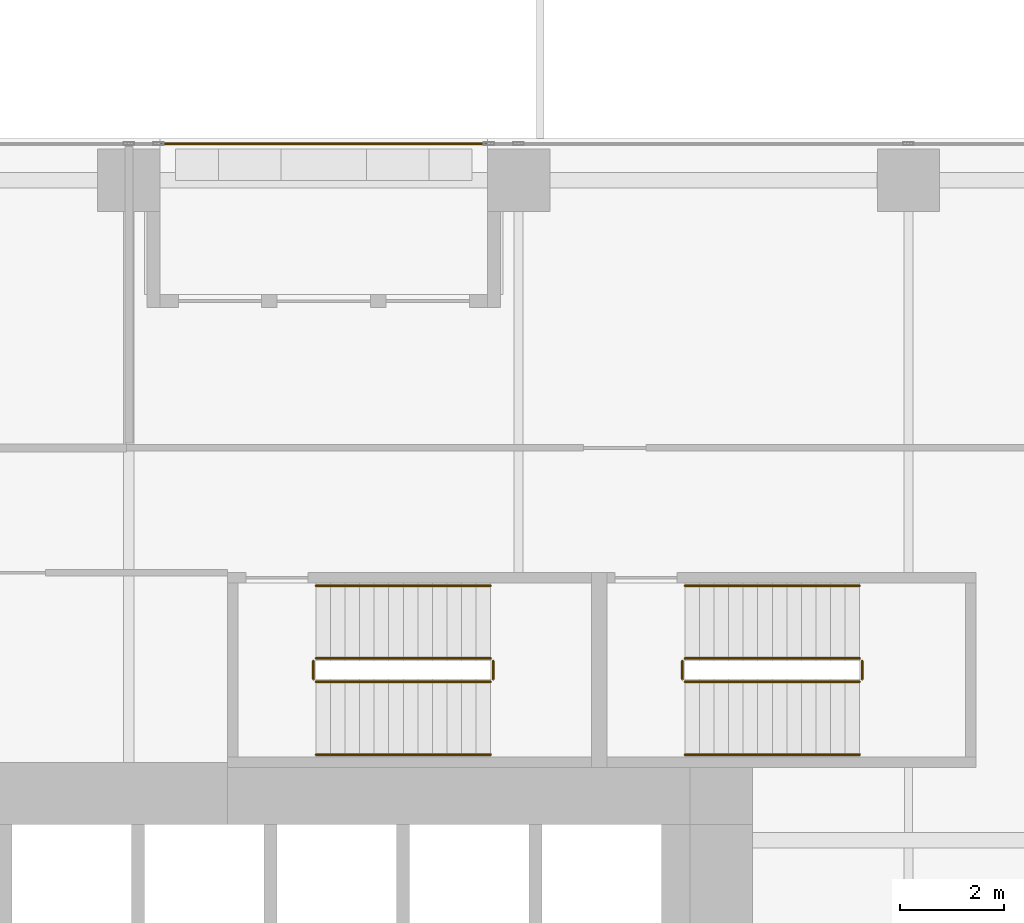
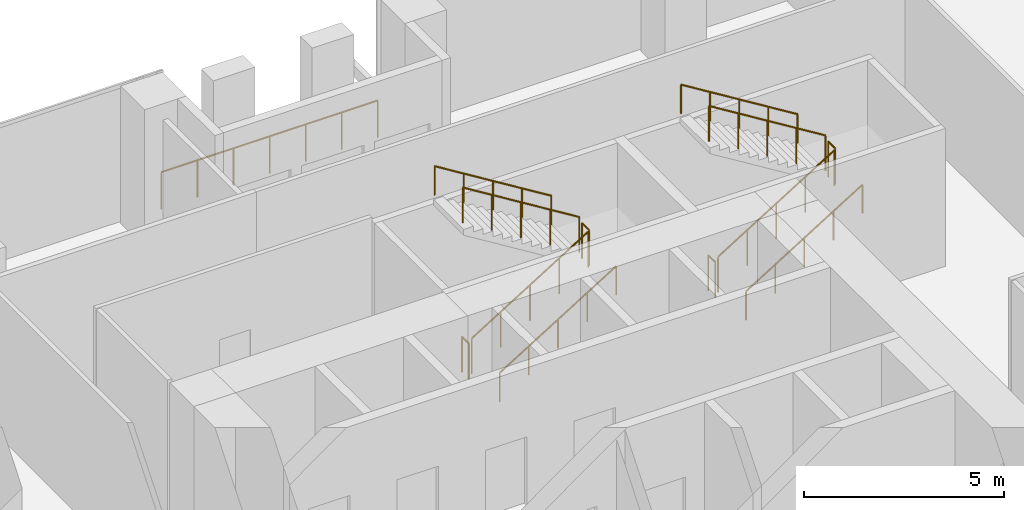
# One storey, part 32 of 33: 13 railings.
"""IFC4 building model written with IfcOpenShell, lengths in metres."""

from ifc_helpers import new_model, si_unit, direction, frame, origin, origin_2d, place, context, subcontext, project, spatial, circle, extrude, source, transform, mapped, material, type_object, element, save


model = new_model("IFC4")

# Units and contexts
model_context = context("Model", 3, precision=1e-05, world=origin(), true_north=direction((0.0, 1.0)))
body_context = subcontext(model_context, "Body", "Model", "MODEL_VIEW")
ifc_project = project(units=[si_unit("LENGTHUNIT", "METRE"), si_unit("AREAUNIT", "SQUARE_METRE"), si_unit("VOLUMEUNIT", "CUBIC_METRE"), si_unit("PLANEANGLEUNIT", "RADIAN"), si_unit("MASSUNIT", "GRAM", prefix="KILO")], contexts=[model_context])

# Site, building, storey
site_placement = place(None, origin())
site = spatial("IfcSite", under=ifc_project, at=site_placement, CompositionType="ELEMENT")
building_placement = place(site_placement, origin())
building = spatial("IfcBuilding", under=site, at=building_placement, Name="Khomas Fold Tower", CompositionType="ELEMENT")
storey_placement = place(building_placement, frame((0.0, 0.0, 82.5)))
storey = spatial("IfcBuildingStorey", under=building, at=storey_placement, Name="L17", CompositionType="ELEMENT", Elevation=82.5)

# Railings
ifc_material_1 = material(Name="Powder-coated steel", Category="steel")
railing_type_1 = type_object("IfcRailingType", Name="Balcony guard", PredefinedType="GUARDRAIL", material=ifc_material_1)
shared_shape_1 = source(origin(), body_context, "Body", "SweptSolid", [
    extrude(circle(Radius=0.02490234375, at=origin_2d()), frame((0.0, 0.0, 1.125), z_axis=(1.0, 0.0, 0.0), x_axis=(0.0, 1.0, 0.0)), (0.0, 0.0, 1.0), 6.240234375),
    extrude(circle(Radius=0.02001953125, at=origin_2d()), origin(), (0.0, 0.0, 1.0), 1.099853515625),
    extrude(circle(Radius=0.02001953125, at=origin_2d()), frame((1.0400390625, 0.0, 0.0)), (0.0, 0.0, 1.0), 1.099853515625),
    extrude(circle(Radius=0.02001953125, at=origin_2d()), frame((2.080078125, 0.0, 0.0)), (0.0, 0.0, 1.0), 1.099853515625),
    extrude(circle(Radius=0.02001953125, at=origin_2d()), frame((3.1201171875, 0.0, 0.0)), (0.0, 0.0, 1.0), 1.099853515625),
    extrude(circle(Radius=0.02001953125, at=origin_2d()), frame((4.16015625, 0.0, 0.0)), (0.0, 0.0, 1.0), 1.099853515625),
    extrude(circle(Radius=0.02001953125, at=origin_2d()), frame((5.2001953125, 0.0, 0.0)), (0.0, 0.0, 1.0), 1.099853515625),
    extrude(circle(Radius=0.02001953125, at=origin_2d()), frame((6.240234375, 0.0, 0.0)), (0.0, 0.0, 1.0), 1.099853515625),
])
railing_1_placement = place(storey_placement, frame((12.6298828125, 53.89990234375, -0.044921875)))
element("IfcRailing", 1, at=railing_1_placement, inside=storey, type_object=railing_type_1, Name="Balcony guard BAL-L17-N1", PredefinedType="GUARDRAIL", context=body_context, shape_type="MappedRepresentation", body=[
    mapped(shared_shape_1, transform((0.0, 0.0, 0.0))),
])
ifc_material_2 = material(Name="Steel balustrade", Category="steel")
railing_type_2 = type_object("IfcRailingType", Name="Stair guard", PredefinedType="GUARDRAIL", material=ifc_material_2)
shared_shape_2 = source(origin(), body_context, "Body", "SweptSolid", [
    extrude(circle(Radius=0.02392578125, at=origin_2d()), frame((0.0, 0.0, 1.076171875), z_axis=(0.850606129759, 0.0, 0.525803396734), x_axis=(0.0, 1.0, 0.0)), (0.0, 0.0, 1.0), 3.949951171875),
    extrude(circle(Radius=0.02099609375, at=origin_2d()), origin(), (0.0, 0.0, 1.0), 1.052001953125),
    extrude(circle(Radius=0.02099609375, at=origin_2d()), frame((0.83984375, 0.0, 0.519287109375)), (0.0, 0.0, 1.0), 1.052001953125),
    extrude(circle(Radius=0.02099609375, at=origin_2d()), frame((1.679931640625, 0.0, 1.03857421875)), (0.0, 0.0, 1.0), 1.052001953125),
    extrude(circle(Radius=0.02099609375, at=origin_2d()), frame((2.52001953125, 0.0, 1.5576171875)), (0.0, 0.0, 1.0), 1.052001953125),
    extrude(circle(Radius=0.02099609375, at=origin_2d()), frame((3.35986328125, 0.0, 2.076904296875)), (0.0, 0.0, 1.0), 1.052001953125),
])
railing_2_placement = place(storey_placement, frame((15.60009765625, 43.550048828125, 0.173095703125)))
element("IfcRailing", 2, at=railing_2_placement, inside=storey, type_object=railing_type_2, Name="L17 ST1 stair guard 1", PredefinedType="GUARDRAIL", context=body_context, shape_type="MappedRepresentation", body=[
    mapped(shared_shape_2, transform((0.0, 0.0, 0.0))),
])
shared_shape_3 = source(origin(), body_context, "Body", "SweptSolid", [
    extrude(circle(Radius=0.02392578125, at=origin_2d()), frame((0.0, 0.0, 1.076171875), z_axis=(0.0, 1.0, 0.0), x_axis=(-1.0, 0.0, 0.0)), (0.0, 0.0, 1.0), 0.349853515625),
    extrude(circle(Radius=0.02099609375, at=origin_2d()), origin(), (0.0, 0.0, 1.0), 1.052001953125),
    extrude(circle(Radius=0.02099609375, at=origin_2d()), frame((0.0, 0.349853515625, 0.0)), (0.0, 0.0, 1.0), 1.052001953125),
])
for number, where, name in (
    (3, (19.010009765625, 43.60009765625, 2.25), "L17 ST1 stair guard 2"),
    (4, (15.550048828125, 43.60009765625, 0.0), "L17 ST1 stair guard 4"),
    (5, (26.110107421875, 43.60009765625, 2.25), "L17 ST3 stair guard 2"),
    (6, (22.64990234375, 43.60009765625, 0.0), "L17 ST3 stair guard 4"),
):
    element("IfcRailing", number, at=place(storey_placement, frame(where)), inside=storey, type_object=railing_type_2, Name=name, PredefinedType="GUARDRAIL", context=body_context, shape_type="MappedRepresentation", body=[
        mapped(shared_shape_3, transform((0.0, 0.0, 0.0))),
    ])
shared_shape_4 = source(origin(), body_context, "Body", "SweptSolid", [
    extrude(circle(Radius=0.02392578125, at=origin_2d()), frame((0.0, 0.0, 1.076171875), z_axis=(-0.850606129759, 0.0, 0.525803396734), x_axis=(0.0, -1.0, 0.0)), (0.0, 0.0, 1.0), 3.949951171875),
    extrude(circle(Radius=0.02099609375, at=origin_2d()), origin(), (0.0, 0.0, 1.0), 1.052001953125),
    extrude(circle(Radius=0.02099609375, at=origin_2d()), frame((-0.83984375, 0.0, 0.519287109375)), (0.0, 0.0, 1.0), 1.052001953125),
    extrude(circle(Radius=0.02099609375, at=origin_2d()), frame((-1.679931640625, 0.0, 1.03857421875)), (0.0, 0.0, 1.0), 1.052001953125),
    extrude(circle(Radius=0.02099609375, at=origin_2d()), frame((-2.52001953125, 0.0, 1.5576171875)), (0.0, 0.0, 1.0), 1.052001953125),
    extrude(circle(Radius=0.02099609375, at=origin_2d()), frame((-3.35986328125, 0.0, 2.076904296875)), (0.0, 0.0, 1.0), 1.052001953125),
])
railing_3_placement = place(storey_placement, frame((18.9599609375, 44.0, 2.423095703125)))
element("IfcRailing", 7, at=railing_3_placement, inside=storey, type_object=railing_type_2, Name="L17 ST1 stair guard 3", PredefinedType="GUARDRAIL", context=body_context, shape_type="MappedRepresentation", body=[
    mapped(shared_shape_4, transform((0.0, 0.0, 0.0))),
])
ifc_material_3 = material(Name="Steel handrail", Category="steel")
railing_type_3 = type_object("IfcRailingType", Name="Stair handrail", PredefinedType="HANDRAIL", material=ifc_material_3)
shared_shape_5 = source(origin(), body_context, "Body", "SweptSolid", [
    extrude(circle(Radius=0.02392578125, at=origin_2d()), frame((0.0, 0.0, 0.8759765625), z_axis=(0.850606129759, 0.0, 0.525803396734), x_axis=(0.0, 1.0, 0.0)), (0.0, 0.0, 1.0), 3.949951171875),
    extrude(circle(Radius=0.02099609375, at=origin_2d()), origin(), (0.0, 0.0, 1.0), 0.851806640625),
    extrude(circle(Radius=0.02099609375, at=origin_2d()), frame((0.83984375, 0.0, 0.519287109375)), (0.0, 0.0, 1.0), 0.851806640625),
    extrude(circle(Radius=0.02099609375, at=origin_2d()), frame((1.679931640625, 0.0, 1.03857421875)), (0.0, 0.0, 1.0), 0.851806640625),
    extrude(circle(Radius=0.02099609375, at=origin_2d()), frame((2.52001953125, 0.0, 1.5576171875)), (0.0, 0.0, 1.0), 0.851806640625),
    extrude(circle(Radius=0.02099609375, at=origin_2d()), frame((3.35986328125, 0.0, 2.076904296875)), (0.0, 0.0, 1.0), 0.851806640625),
])
railing_4_placement = place(storey_placement, frame((15.60009765625, 42.14990234375, 0.173095703125)))
element("IfcRailing", 8, at=railing_4_placement, inside=storey, type_object=railing_type_3, Name="L17 ST1 stair handrail 1", PredefinedType="HANDRAIL", context=body_context, shape_type="MappedRepresentation", body=[
    mapped(shared_shape_5, transform((0.0, 0.0, 0.0))),
])
shared_shape_6 = source(origin(), body_context, "Body", "SweptSolid", [
    extrude(circle(Radius=0.02392578125, at=origin_2d()), frame((0.0, 0.0, 0.8759765625), z_axis=(-0.850606129759, 0.0, 0.525803396734), x_axis=(0.0, -1.0, 0.0)), (0.0, 0.0, 1.0), 3.949951171875),
    extrude(circle(Radius=0.02099609375, at=origin_2d()), origin(), (0.0, 0.0, 1.0), 0.851806640625),
    extrude(circle(Radius=0.02099609375, at=origin_2d()), frame((-0.83984375, 0.0, 0.519287109375)), (0.0, 0.0, 1.0), 0.851806640625),
    extrude(circle(Radius=0.02099609375, at=origin_2d()), frame((-1.679931640625, 0.0, 1.03857421875)), (0.0, 0.0, 1.0), 0.851806640625),
    extrude(circle(Radius=0.02099609375, at=origin_2d()), frame((-2.52001953125, 0.0, 1.5576171875)), (0.0, 0.0, 1.0), 0.851806640625),
    extrude(circle(Radius=0.02099609375, at=origin_2d()), frame((-3.35986328125, 0.0, 2.076904296875)), (0.0, 0.0, 1.0), 0.851806640625),
])
railing_5_placement = place(storey_placement, frame((18.9599609375, 45.39990234375, 2.423095703125)))
element("IfcRailing", 9, at=railing_5_placement, inside=storey, type_object=railing_type_3, Name="L17 ST1 stair handrail 2", PredefinedType="HANDRAIL", context=body_context, shape_type="MappedRepresentation", body=[
    mapped(shared_shape_6, transform((0.0, 0.0, 0.0))),
])
shared_shape_7 = source(origin(), body_context, "Body", "SweptSolid", [
    extrude(circle(Radius=0.02392578125, at=origin_2d()), frame((0.0, 0.0, 1.076171875), z_axis=(0.850623216509, 0.0, 0.525775754039), x_axis=(0.0, 1.0, 0.0)), (0.0, 0.0, 1.0), 3.9501953125),
    extrude(circle(Radius=0.02099609375, at=origin_2d()), origin(), (0.0, 0.0, 1.0), 1.052001953125),
    extrude(circle(Radius=0.02099609375, at=origin_2d()), frame((0.840087890625, 0.0, 0.519287109375)), (0.0, 0.0, 1.0), 1.052001953125),
    extrude(circle(Radius=0.02099609375, at=origin_2d()), frame((1.68017578125, 0.0, 1.03857421875)), (0.0, 0.0, 1.0), 1.052001953125),
    extrude(circle(Radius=0.02099609375, at=origin_2d()), frame((2.52001953125, 0.0, 1.5576171875)), (0.0, 0.0, 1.0), 1.052001953125),
    extrude(circle(Radius=0.02099609375, at=origin_2d()), frame((3.360107421875, 0.0, 2.076904296875)), (0.0, 0.0, 1.0), 1.052001953125),
])
railing_6_placement = place(storey_placement, frame((22.699951171875, 43.550048828125, 0.173095703125)))
element("IfcRailing", 10, at=railing_6_placement, inside=storey, type_object=railing_type_2, Name="L17 ST3 stair guard 1", PredefinedType="GUARDRAIL", context=body_context, shape_type="MappedRepresentation", body=[
    mapped(shared_shape_7, transform((0.0, 0.0, 0.0))),
])
shared_shape_8 = source(origin(), body_context, "Body", "SweptSolid", [
    extrude(circle(Radius=0.02392578125, at=origin_2d()), frame((0.0, 0.0, 1.076171875), z_axis=(-0.850623216509, 0.0, 0.525775754039), x_axis=(0.0, -1.0, 0.0)), (0.0, 0.0, 1.0), 3.9501953125),
    extrude(circle(Radius=0.02099609375, at=origin_2d()), origin(), (0.0, 0.0, 1.0), 1.052001953125),
    extrude(circle(Radius=0.02099609375, at=origin_2d()), frame((-0.840087890625, 0.0, 0.519287109375)), (0.0, 0.0, 1.0), 1.052001953125),
    extrude(circle(Radius=0.02099609375, at=origin_2d()), frame((-1.68017578125, 0.0, 1.03857421875)), (0.0, 0.0, 1.0), 1.052001953125),
    extrude(circle(Radius=0.02099609375, at=origin_2d()), frame((-2.52001953125, 0.0, 1.5576171875)), (0.0, 0.0, 1.0), 1.052001953125),
    extrude(circle(Radius=0.02099609375, at=origin_2d()), frame((-3.360107421875, 0.0, 2.076904296875)), (0.0, 0.0, 1.0), 1.052001953125),
])
railing_7_placement = place(storey_placement, frame((26.06005859375, 44.0, 2.423095703125)))
element("IfcRailing", 11, at=railing_7_placement, inside=storey, type_object=railing_type_2, Name="L17 ST3 stair guard 3", PredefinedType="GUARDRAIL", context=body_context, shape_type="MappedRepresentation", body=[
    mapped(shared_shape_8, transform((0.0, 0.0, 0.0))),
])
shared_shape_9 = source(origin(), body_context, "Body", "SweptSolid", [
    extrude(circle(Radius=0.02392578125, at=origin_2d()), frame((0.0, 0.0, 0.8759765625), z_axis=(0.850623216509, 0.0, 0.525775754039), x_axis=(0.0, 1.0, 0.0)), (0.0, 0.0, 1.0), 3.9501953125),
    extrude(circle(Radius=0.02099609375, at=origin_2d()), origin(), (0.0, 0.0, 1.0), 0.851806640625),
    extrude(circle(Radius=0.02099609375, at=origin_2d()), frame((0.840087890625, 0.0, 0.519287109375)), (0.0, 0.0, 1.0), 0.851806640625),
    extrude(circle(Radius=0.02099609375, at=origin_2d()), frame((1.68017578125, 0.0, 1.03857421875)), (0.0, 0.0, 1.0), 0.851806640625),
    extrude(circle(Radius=0.02099609375, at=origin_2d()), frame((2.52001953125, 0.0, 1.5576171875)), (0.0, 0.0, 1.0), 0.851806640625),
    extrude(circle(Radius=0.02099609375, at=origin_2d()), frame((3.360107421875, 0.0, 2.076904296875)), (0.0, 0.0, 1.0), 0.851806640625),
])
railing_8_placement = place(storey_placement, frame((22.699951171875, 42.14990234375, 0.173095703125)))
element("IfcRailing", 12, at=railing_8_placement, inside=storey, type_object=railing_type_3, Name="L17 ST3 stair handrail 1", PredefinedType="HANDRAIL", context=body_context, shape_type="MappedRepresentation", body=[
    mapped(shared_shape_9, transform((0.0, 0.0, 0.0))),
])
shared_shape_10 = source(origin(), body_context, "Body", "SweptSolid", [
    extrude(circle(Radius=0.02392578125, at=origin_2d()), frame((0.0, 0.0, 0.8759765625), z_axis=(-0.850623216509, 0.0, 0.525775754039), x_axis=(0.0, -1.0, 0.0)), (0.0, 0.0, 1.0), 3.9501953125),
    extrude(circle(Radius=0.02099609375, at=origin_2d()), origin(), (0.0, 0.0, 1.0), 0.851806640625),
    extrude(circle(Radius=0.02099609375, at=origin_2d()), frame((-0.840087890625, 0.0, 0.519287109375)), (0.0, 0.0, 1.0), 0.851806640625),
    extrude(circle(Radius=0.02099609375, at=origin_2d()), frame((-1.68017578125, 0.0, 1.03857421875)), (0.0, 0.0, 1.0), 0.851806640625),
    extrude(circle(Radius=0.02099609375, at=origin_2d()), frame((-2.52001953125, 0.0, 1.5576171875)), (0.0, 0.0, 1.0), 0.851806640625),
    extrude(circle(Radius=0.02099609375, at=origin_2d()), frame((-3.360107421875, 0.0, 2.076904296875)), (0.0, 0.0, 1.0), 0.851806640625),
])
railing_9_placement = place(storey_placement, frame((26.06005859375, 45.39990234375, 2.423095703125)))
element("IfcRailing", 13, at=railing_9_placement, inside=storey, type_object=railing_type_3, Name="L17 ST3 stair handrail 2", PredefinedType="HANDRAIL", context=body_context, shape_type="MappedRepresentation", body=[
    mapped(shared_shape_10, transform((0.0, 0.0, 0.0))),
])

save(model, "model.ifc")
